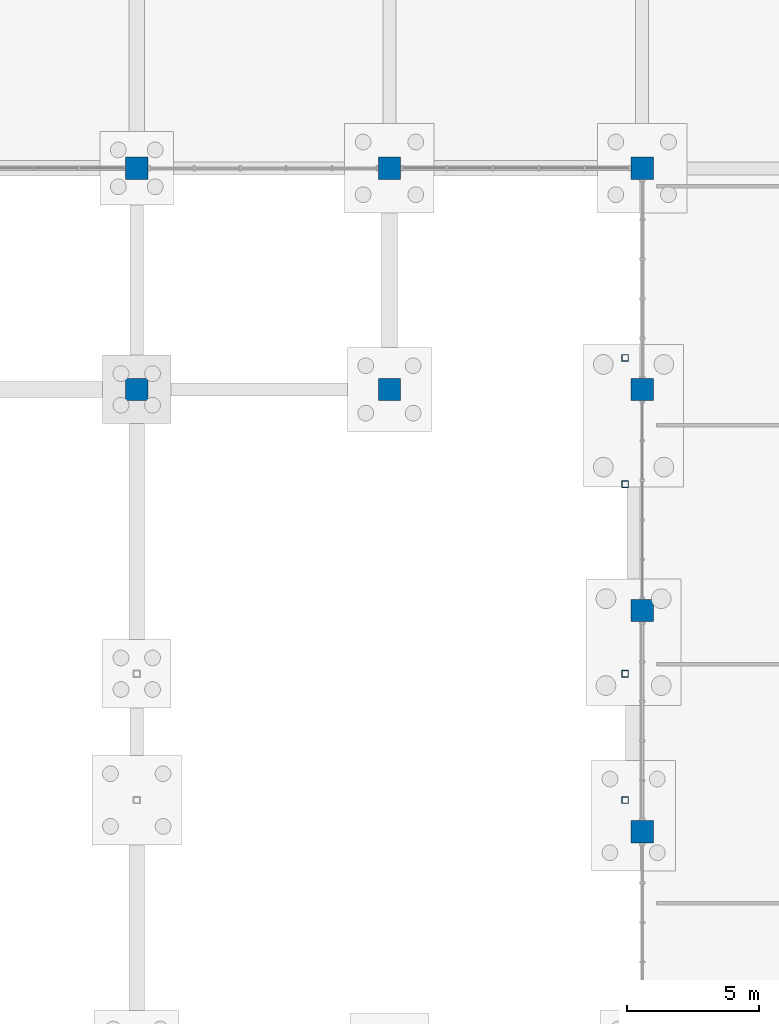
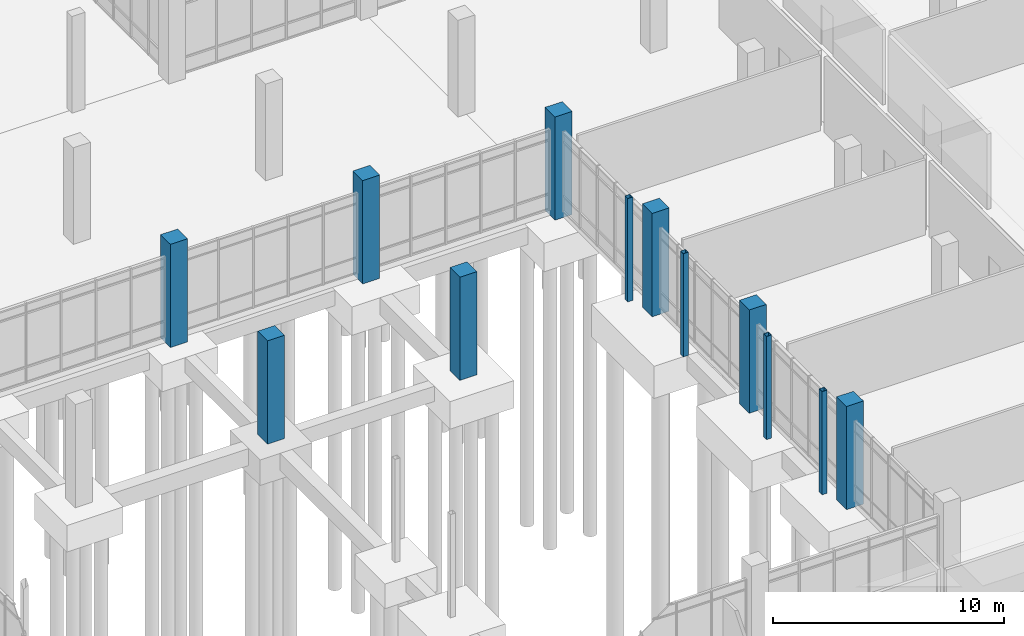
# One storey, part 24 of 136: 12 columns.
"""IFC4 building model written with IfcOpenShell, lengths in metres."""

from ifc_helpers import new_model, si_unit, direction, frame, origin, origin_2d, place, context, subcontext, project, spatial, rectangle, hollow_rectangle, extrude, material, material_profile, profile_set, type_object, element, save


model = new_model("IFC4")

# Units and contexts
model_context = context("Model", 3, precision=1e-05, world=origin(), true_north=direction((0.0, 1.0)))
body_context = subcontext(model_context, "Body", "Model", "MODEL_VIEW")
ifc_project = project(units=[si_unit("LENGTHUNIT", "METRE"), si_unit("AREAUNIT", "SQUARE_METRE"), si_unit("VOLUMEUNIT", "CUBIC_METRE"), si_unit("PLANEANGLEUNIT", "RADIAN"), si_unit("MASSUNIT", "GRAM", prefix="KILO")], contexts=[model_context])

# Site, building, storey
site_placement = place(None, origin())
site = spatial("IfcSite", under=ifc_project, at=site_placement, CompositionType="ELEMENT")
building_placement = place(site_placement, origin())
building = spatial("IfcBuilding", under=site, at=building_placement, Name="Oolite Switchyard Hospital", CompositionType="ELEMENT")
storey_placement = place(building_placement, origin())
storey = spatial("IfcBuildingStorey", under=building, at=storey_placement, Name="L00", CompositionType="ELEMENT", Elevation=0.0)

# Columns
ifc_material_1 = material(Name="Steel ASTM A500 Grade C", Category="steel")
ifc_material_profile_1 = material_profile(ifc_material_1, hollow_rectangle(XDim=0.25390625, YDim=0.25390625, WallThickness=0.012939453125, at=origin_2d()), Name="HSS254X254X13")
ifc_profile_set_1 = profile_set([ifc_material_profile_1], Name="Steel ASTM A500 Grade C")
column_type_1 = type_object("IfcColumnType", Name="COL-HSS254", PredefinedType="COLUMN", material=ifc_profile_set_1)
for number, where, z_axis, x_axis, name in (
    (1, (181.75, 34.800048828125, -0.35009765625), (0.0, 0.0, 1.0), (1.0, 0.0, 0.0), "L00 Column 270"),
    (2, (181.75, 39.60009765625, -0.35009765625), (0.0, 0.0, 1.0), (1.0, 0.0, 0.0), "L00 Column 271"),
    (3, (181.75, 46.800048828125, -0.35009765625), (0.0, 0.0, 1.0), (1.0, 0.0, 0.0), "L00 Column 272"),
    (4, (181.75, 51.60009765625, -0.35009765625), (0.0, 0.0, 1.0), (1.0, 0.0, 0.0), "L00 Column 273"),
):
    element("IfcColumn", number, at=place(storey_placement, frame(where, z_axis=z_axis, x_axis=x_axis)), inside=storey, type_object=column_type_1, Name=name, PredefinedType="COLUMN", context=body_context, shape_type="SweptSolid", body=[
        extrude(hollow_rectangle(XDim=0.25390625, YDim=0.25390625, WallThickness=0.012939453125, at=origin_2d()), origin(), (0.0, 0.0, 1.0), 5.4501953125),
    ])
ifc_material_2 = material(Name="Concrete C50/60", Category="concrete")
ifc_material_profile_2 = material_profile(ifc_material_2, rectangle(XDim=0.85009765625, YDim=0.85009765625, at=origin_2d()), Name="RC850X850")
ifc_profile_set_2 = profile_set([ifc_material_profile_2], Name="Concrete C50/60")
column_type_2 = type_object("IfcColumnType", Name="COL-RC850", PredefinedType="COLUMN", material=ifc_profile_set_2)
for number, where, z_axis, x_axis, name in (
    (5, (163.199951171875, 50.39990234375, -0.35009765625), (0.0, 0.0, 1.0), (1.0, 0.0, 0.0), "L00 Column 244"),
    (6, (163.199951171875, 58.800048828125, -0.35009765625), (0.0, 0.0, 1.0), (1.0, 0.0, 0.0), "L00 Column 245"),
    (7, (172.800048828125, 50.39990234375, -0.35009765625), (0.0, 0.0, 1.0), (1.0, 0.0, 0.0), "L00 Column 259"),
    (8, (172.800048828125, 58.800048828125, -0.35009765625), (0.0, 0.0, 1.0), (1.0, 0.0, 0.0), "L00 Column 260"),
    (9, (182.39990234375, 33.60009765625, -0.35009765625), (0.0, 0.0, 1.0), (1.0, 0.0, 0.0), "L00 Column 278"),
    (10, (182.39990234375, 42.0, -0.35009765625), (0.0, 0.0, 1.0), (1.0, 0.0, 0.0), "L00 Column 279"),
    (11, (182.39990234375, 50.39990234375, -0.35009765625), (0.0, 0.0, 1.0), (1.0, 0.0, 0.0), "L00 Column 280"),
    (12, (182.39990234375, 58.800048828125, -0.35009765625), (0.0, 0.0, 1.0), (1.0, 0.0, 0.0), "L00 Column 281"),
):
    element("IfcColumn", number, at=place(storey_placement, frame(where, z_axis=z_axis, x_axis=x_axis)), inside=storey, type_object=column_type_2, Name=name, PredefinedType="COLUMN", context=body_context, shape_type="SweptSolid", body=[
        extrude(rectangle(XDim=0.85009765625, YDim=0.85009765625, at=origin_2d()), origin(), (0.0, 0.0, 1.0), 5.4501953125),
    ])

save(model, "model.ifc")
